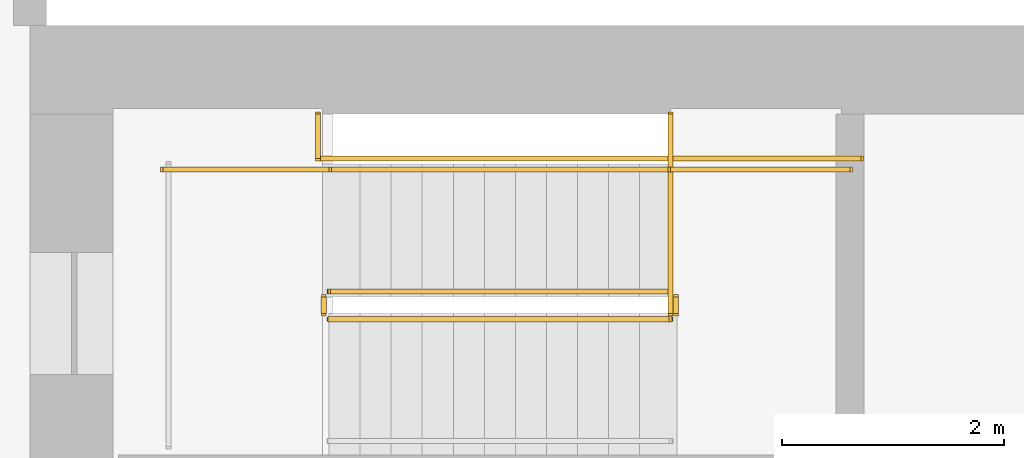
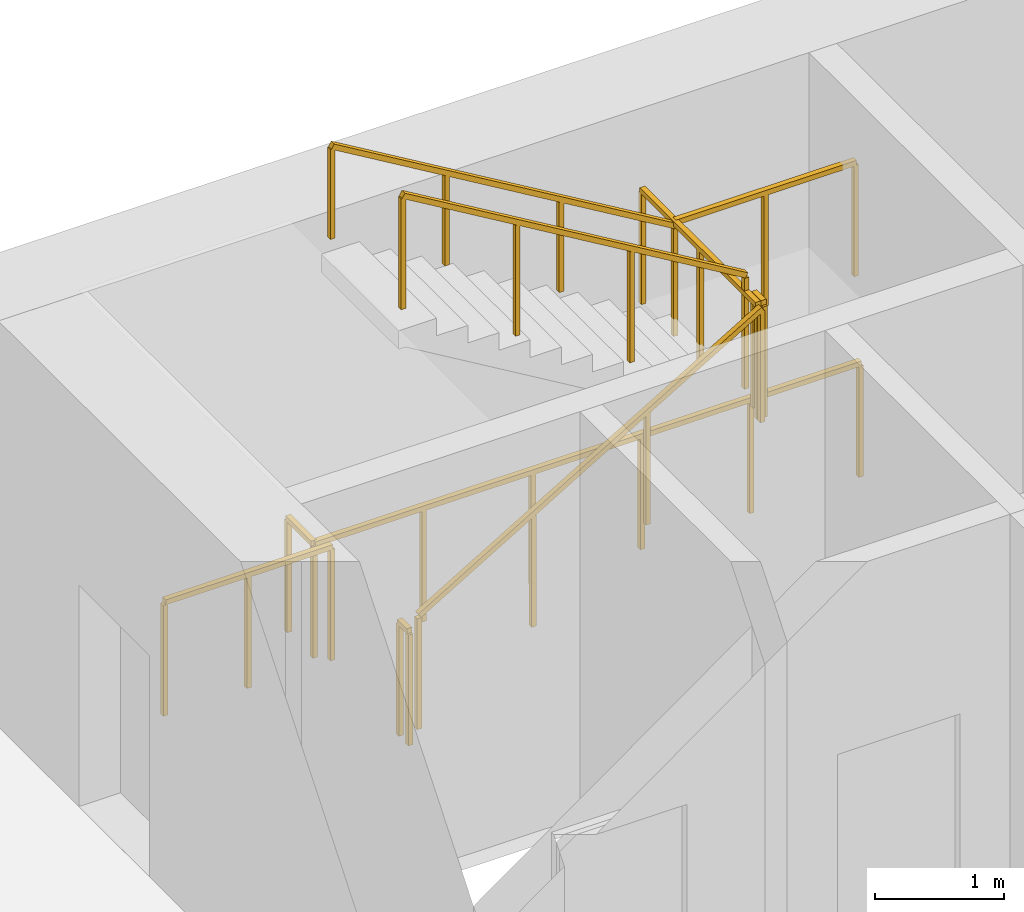
# One storey, part 12 of 12: 10 railings.
"""IFC4 building model written with IfcOpenShell, lengths in metres."""

from ifc_helpers import new_model, si_unit, direction, frame, origin, origin_2d, place, context, subcontext, project, spatial, rectangle, extrude, material, type_object, element, save


model = new_model("IFC4")

# Units and contexts
model_context = context("Model", 3, precision=1e-05, world=origin(), true_north=direction((0.0, 1.0)))
body_context = subcontext(model_context, "Body", "Model", "MODEL_VIEW")
ifc_project = project(units=[si_unit("LENGTHUNIT", "METRE"), si_unit("AREAUNIT", "SQUARE_METRE"), si_unit("VOLUMEUNIT", "CUBIC_METRE"), si_unit("PLANEANGLEUNIT", "RADIAN"), si_unit("MASSUNIT", "GRAM", prefix="KILO")], contexts=[model_context])

# Site, building, storey
site_placement = place(None, origin())
site = spatial("IfcSite", under=ifc_project, at=site_placement, CompositionType="ELEMENT")
building_placement = place(site_placement, origin())
building = spatial("IfcBuilding", under=site, at=building_placement, Name="Sennacour Bend Tower", CompositionType="ELEMENT")
storey_placement = place(building_placement, frame((0.0, 0.0, 253.0)))
storey = spatial("IfcBuildingStorey", under=building, at=storey_placement, Name="L58", CompositionType="ELEMENT", Elevation=253.0)

# Railings
ifc_material = material(Name="Stainless steel", Category="steel")
railing_type_1 = type_object("IfcRailingType", Name="RL-GUARD-1100", PredefinedType="GUARDRAIL", material=ifc_material)
railing_1_placement = place(storey_placement, frame((56.699951171875, 19.85009765625, 0.166748046875)))
element("IfcRailing", 1, at=railing_1_placement, inside=storey, type_object=railing_type_1, Name="L58 SA2 stair guard 1", PredefinedType="GUARDRAIL", context=body_context, shape_type="SweptSolid", body=[
    extrude(rectangle(XDim=0.048095703125, YDim=0.048095703125, at=origin_2d()), frame((0.0, 0.0, 1.076171875), z_axis=(0.859308565015, 0.0, 0.511457515432), x_axis=(0.0, 1.0, 0.0)), (0.0, 0.0, 1.0), 3.58447265625),
    extrude(rectangle(XDim=0.0419921875, YDim=0.0419921875, at=origin_2d()), origin(), (0.0, 0.0, 1.0), 1.052001953125),
    extrude(rectangle(XDim=0.0419921875, YDim=0.0419921875, at=origin_2d()), frame((1.026611328125, 0.0, 0.611083984375)), (0.0, 0.0, 1.0), 1.052001953125),
    extrude(rectangle(XDim=0.0419921875, YDim=0.0419921875, at=origin_2d()), frame((2.053466796875, 0.0, 1.22216796875)), (0.0, 0.0, 1.0), 1.052001953125),
    extrude(rectangle(XDim=0.0419921875, YDim=0.0419921875, at=origin_2d()), frame((3.080078125, 0.0, 1.833251953125)), (0.0, 0.0, 1.0), 1.052001953125),
])
railing_2_placement = place(storey_placement, frame((59.830078125, 19.89990234375, 2.0)))
element("IfcRailing", 2, at=railing_2_placement, inside=storey, type_object=railing_type_1, Name="L58 SA2 stair guard 2", PredefinedType="GUARDRAIL", context=body_context, shape_type="SweptSolid", body=[
    extrude(rectangle(XDim=0.048095703125, YDim=0.048095703125, at=origin_2d()), frame((0.0, 0.0, 1.076171875), z_axis=(0.0, 1.0, 0.0), x_axis=(-1.0, 0.0, 0.0)), (0.0, 0.0, 1.0), 0.150146484375),
    extrude(rectangle(XDim=0.0419921875, YDim=0.0419921875, at=origin_2d()), origin(), (0.0, 0.0, 1.0), 1.052001953125),
    extrude(rectangle(XDim=0.0419921875, YDim=0.0419921875, at=origin_2d()), frame((0.0, 0.150146484375, 0.0)), (0.0, 0.0, 1.0), 1.052001953125),
])
railing_3_placement = place(storey_placement, frame((59.780029296875, 21.199951171875, 2.0)))
element("IfcRailing", 3, at=railing_3_placement, inside=storey, type_object=railing_type_1, Name="L58 SA2 stair guard 3", PredefinedType="GUARDRAIL", context=body_context, shape_type="SweptSolid", body=[
    extrude(rectangle(XDim=0.048095703125, YDim=0.048095703125, at=origin_2d()), frame((0.0, 0.0, 1.076171875), z_axis=(1.0, 0.0, 0.0), x_axis=(0.0, 1.0, 0.0)), (0.0, 0.0, 1.0), 1.619873046875),
    extrude(rectangle(XDim=0.0419921875, YDim=0.0419921875, at=origin_2d()), origin(), (0.0, 0.0, 1.0), 1.052001953125),
    extrude(rectangle(XDim=0.0419921875, YDim=0.0419921875, at=origin_2d()), frame((0.81005859375, 0.0, 0.0)), (0.0, 0.0, 1.0), 1.052001953125),
    extrude(rectangle(XDim=0.0419921875, YDim=0.0419921875, at=origin_2d()), frame((1.619873046875, 0.0, 0.0)), (0.0, 0.0, 1.0), 1.052001953125),
])
railing_4_placement = place(storey_placement, frame((59.780029296875, 20.10009765625, 2.166748046875)))
element("IfcRailing", 4, at=railing_4_placement, inside=storey, type_object=railing_type_1, Name="L58 SA2 stair guard 4", PredefinedType="GUARDRAIL", context=body_context, shape_type="SweptSolid", body=[
    extrude(rectangle(XDim=0.048095703125, YDim=0.048095703125, at=origin_2d()), frame((0.0, 0.0, 1.076171875), z_axis=(-0.859308565015, 0.0, 0.511457515432), x_axis=(0.0, -1.0, 0.0)), (0.0, 0.0, 1.0), 3.58447265625),
    extrude(rectangle(XDim=0.0419921875, YDim=0.0419921875, at=origin_2d()), origin(), (0.0, 0.0, 1.0), 1.052001953125),
    extrude(rectangle(XDim=0.0419921875, YDim=0.0419921875, at=origin_2d()), frame((-1.026611328125, 0.0, 0.611083984375)), (0.0, 0.0, 1.0), 1.052001953125),
    extrude(rectangle(XDim=0.0419921875, YDim=0.0419921875, at=origin_2d()), frame((-2.053466796875, 0.0, 1.22216796875)), (0.0, 0.0, 1.0), 1.052001953125),
    extrude(rectangle(XDim=0.0419921875, YDim=0.0419921875, at=origin_2d()), frame((-3.080078125, 0.0, 1.833251953125)), (0.0, 0.0, 1.0), 1.052001953125),
])
railing_5_placement = place(storey_placement, frame((56.64990234375, 19.89990234375, 0.0)))
element("IfcRailing", 5, at=railing_5_placement, inside=storey, type_object=railing_type_1, Name="L58 SA2 stair guard 5", PredefinedType="GUARDRAIL", context=body_context, shape_type="SweptSolid", body=[
    extrude(rectangle(XDim=0.048095703125, YDim=0.048095703125, at=origin_2d()), frame((0.0, 0.0, 1.076171875), z_axis=(0.0, 1.0, 0.0), x_axis=(-1.0, 0.0, 0.0)), (0.0, 0.0, 1.0), 0.150146484375),
    extrude(rectangle(XDim=0.0419921875, YDim=0.0419921875, at=origin_2d()), origin(), (0.0, 0.0, 1.0), 1.052001953125),
    extrude(rectangle(XDim=0.0419921875, YDim=0.0419921875, at=origin_2d()), frame((0.0, 0.150146484375, 0.0)), (0.0, 0.0, 1.0), 1.052001953125),
])
railing_6_placement = place(storey_placement, frame((55.199951171875, 21.199951171875, 0.0)))
element("IfcRailing", 6, at=railing_6_placement, inside=storey, type_object=railing_type_1, Name="L58 SA2 stair guard 6", PredefinedType="GUARDRAIL", context=body_context, shape_type="SweptSolid", body=[
    extrude(rectangle(XDim=0.048095703125, YDim=0.048095703125, at=origin_2d()), frame((0.0, 0.0, 1.076171875), z_axis=(1.0, 0.0, 0.0), x_axis=(0.0, 1.0, 0.0)), (0.0, 0.0, 1.0), 1.5),
    extrude(rectangle(XDim=0.0419921875, YDim=0.0419921875, at=origin_2d()), origin(), (0.0, 0.0, 1.0), 1.052001953125),
    extrude(rectangle(XDim=0.0419921875, YDim=0.0419921875, at=origin_2d()), frame((0.75, 0.0, 0.0)), (0.0, 0.0, 1.0), 1.052001953125),
    extrude(rectangle(XDim=0.0419921875, YDim=0.0419921875, at=origin_2d()), frame((1.5, 0.0, 0.0)), (0.0, 0.0, 1.0), 1.052001953125),
])
railing_7_placement = place(storey_placement, frame((56.60009765625, 21.300048828125, 0.0)))
element("IfcRailing", 7, at=railing_7_placement, inside=storey, type_object=railing_type_1, Name="L58 SA2 stair guard 8", PredefinedType="GUARDRAIL", context=body_context, shape_type="SweptSolid", body=[
    extrude(rectangle(XDim=0.048095703125, YDim=0.048095703125, at=origin_2d()), frame((0.0, 0.0, 1.076171875), z_axis=(1.0, 0.0, 0.0), x_axis=(0.0, 1.0, 0.0)), (0.0, 0.0, 1.0), 4.89990234375),
    extrude(rectangle(XDim=0.0419921875, YDim=0.0419921875, at=origin_2d()), origin(), (0.0, 0.0, 1.0), 1.052001953125),
    extrude(rectangle(XDim=0.0419921875, YDim=0.0419921875, at=origin_2d()), frame((0.97998046875, 0.0, 0.0)), (0.0, 0.0, 1.0), 1.052001953125),
    extrude(rectangle(XDim=0.0419921875, YDim=0.0419921875, at=origin_2d()), frame((1.9599609375, 0.0, 0.0)), (0.0, 0.0, 1.0), 1.052001953125),
    extrude(rectangle(XDim=0.0419921875, YDim=0.0419921875, at=origin_2d()), frame((2.93994140625, 0.0, 0.0)), (0.0, 0.0, 1.0), 1.052001953125),
    extrude(rectangle(XDim=0.0419921875, YDim=0.0419921875, at=origin_2d()), frame((3.919921875, 0.0, 0.0)), (0.0, 0.0, 1.0), 1.052001953125),
    extrude(rectangle(XDim=0.0419921875, YDim=0.0419921875, at=origin_2d()), frame((4.89990234375, 0.0, 0.0)), (0.0, 0.0, 1.0), 1.052001953125),
])
railing_8_placement = place(storey_placement, frame((59.780029296875, 19.89990234375, 2.0)))
element("IfcRailing", 8, at=railing_8_placement, inside=storey, type_object=railing_type_1, Name="L58 SA2 landing edge guard 78", PredefinedType="GUARDRAIL", context=body_context, shape_type="SweptSolid", body=[
    extrude(rectangle(XDim=0.048095703125, YDim=0.048095703125, at=origin_2d()), frame((0.0, 0.0, 1.076171875), z_axis=(0.0, 1.0, 0.0), x_axis=(-1.0, 0.0, 0.0)), (0.0, 0.0, 1.0), 1.800048828125),
    extrude(rectangle(XDim=0.0419921875, YDim=0.0419921875, at=origin_2d()), origin(), (0.0, 0.0, 1.0), 1.052001953125),
    extrude(rectangle(XDim=0.0419921875, YDim=0.0419921875, at=origin_2d()), frame((0.0, 0.89990234375, 0.0)), (0.0, 0.0, 1.0), 1.052001953125),
    extrude(rectangle(XDim=0.0419921875, YDim=0.0419921875, at=origin_2d()), frame((0.0, 1.800048828125, 0.0)), (0.0, 0.0, 1.0), 1.052001953125),
])
railing_9_placement = place(storey_placement, frame((56.60009765625, 21.300048828125, 0.0)))
element("IfcRailing", 9, at=railing_9_placement, inside=storey, type_object=railing_type_1, Name="L58 SA2 landing edge guard 112", PredefinedType="GUARDRAIL", context=body_context, shape_type="SweptSolid", body=[
    extrude(rectangle(XDim=0.048095703125, YDim=0.048095703125, at=origin_2d()), frame((0.0, 0.0, 1.076171875), z_axis=(0.0, 1.0, 0.0), x_axis=(-1.0, 0.0, 0.0)), (0.0, 0.0, 1.0), 0.39990234375),
    extrude(rectangle(XDim=0.0419921875, YDim=0.0419921875, at=origin_2d()), origin(), (0.0, 0.0, 1.0), 1.052001953125),
    extrude(rectangle(XDim=0.0419921875, YDim=0.0419921875, at=origin_2d()), frame((0.0, 0.39990234375, 0.0)), (0.0, 0.0, 1.0), 1.052001953125),
])
railing_type_2 = type_object("IfcRailingType", Name="RL-HANDRAIL-900", PredefinedType="HANDRAIL", material=ifc_material)
railing_10_placement = place(storey_placement, frame((59.780029296875, 21.199951171875, 2.166748046875)))
element("IfcRailing", 10, at=railing_10_placement, inside=storey, type_object=railing_type_2, Name="L58 SA2 stair handrail 2", PredefinedType="HANDRAIL", context=body_context, shape_type="SweptSolid", body=[
    extrude(rectangle(XDim=0.048095703125, YDim=0.048095703125, at=origin_2d()), frame((0.0, 0.0, 0.8759765625), z_axis=(-0.859308565015, 0.0, 0.511457515432), x_axis=(0.0, -1.0, 0.0)), (0.0, 0.0, 1.0), 3.58447265625),
    extrude(rectangle(XDim=0.0419921875, YDim=0.0419921875, at=origin_2d()), origin(), (0.0, 0.0, 1.0), 0.851806640625),
    extrude(rectangle(XDim=0.0419921875, YDim=0.0419921875, at=origin_2d()), frame((-1.026611328125, 0.0, 0.611083984375)), (0.0, 0.0, 1.0), 0.851806640625),
    extrude(rectangle(XDim=0.0419921875, YDim=0.0419921875, at=origin_2d()), frame((-2.053466796875, 0.0, 1.22216796875)), (0.0, 0.0, 1.0), 0.851806640625),
    extrude(rectangle(XDim=0.0419921875, YDim=0.0419921875, at=origin_2d()), frame((-3.080078125, 0.0, 1.833251953125)), (0.0, 0.0, 1.0), 0.851806640625),
])

save(model, "model.ifc")
